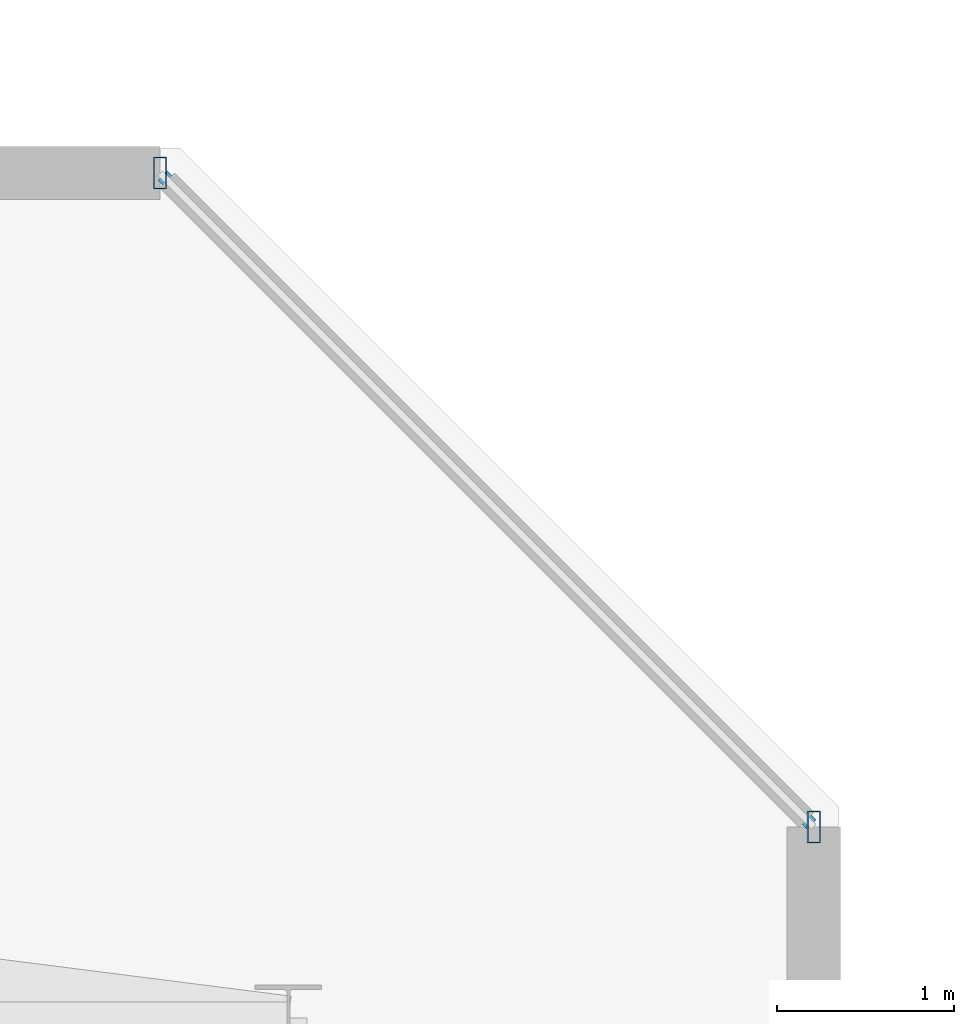
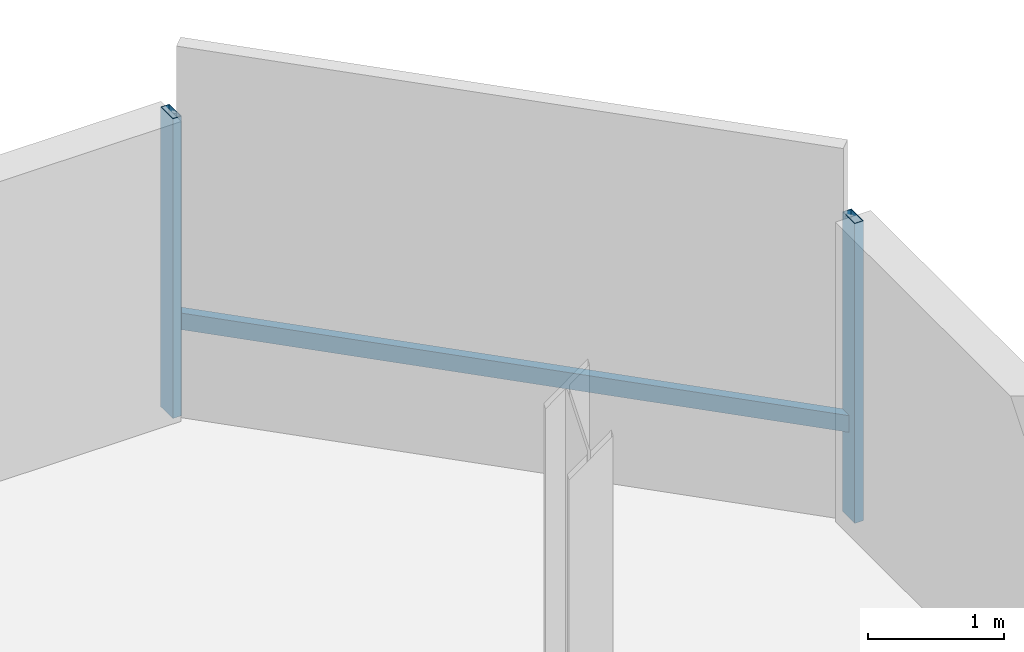
# One storey, part 12 of 34: 3 members, 1 element without a shape of its own.
"""IFC4 building model written with IfcOpenShell, lengths in metres."""

from ifc_helpers import new_model, si_unit, direction, frame, origin, origin_2d, place, context, subcontext, project, spatial, hollow_rectangle, extrude, material, material_profile, profile_set, type_object, element, aggregate, save


model = new_model("IFC4")

# Units and contexts
model_context = context("Model", 3, precision=1e-05, world=origin(), true_north=direction((0.0, 1.0)))
body_context = subcontext(model_context, "Body", "Model", "MODEL_VIEW")
ifc_project = project(units=[si_unit("LENGTHUNIT", "METRE"), si_unit("AREAUNIT", "SQUARE_METRE"), si_unit("VOLUMEUNIT", "CUBIC_METRE"), si_unit("PLANEANGLEUNIT", "RADIAN"), si_unit("MASSUNIT", "GRAM", prefix="KILO")], contexts=[model_context])

# Site, building, storey
site_placement = place(None, origin())
site = spatial("IfcSite", under=ifc_project, at=site_placement, CompositionType="ELEMENT")
building_placement = place(site_placement, origin())
building = spatial("IfcBuilding", under=site, at=building_placement, Name="Thornwick Lancets Civic Towers", CompositionType="ELEMENT")
storey_placement = place(building_placement, frame((0.0, 0.0, 261.89990234375)))
storey = spatial("IfcBuildingStorey", under=building, at=storey_placement, Name="L70", CompositionType="ELEMENT", Elevation=261.89990234375)

# Curtain wall, members
ifc_material_1 = material(Name="High-zone chamfered-corner unitised glass curtain wall", Category="glass")
curtain_wall_type = type_object("IfcCurtainWallType", Name="CW_SYS_05", PredefinedType="NOTDEFINED", material=ifc_material_1)
curtain_wall_placement = place(storey_placement, origin())
curtain_wall = element("IfcCurtainWall", 1, at=curtain_wall_placement, inside=storey, type_object=curtain_wall_type, Name="L70 Curtain Wall CW-L70-A-E3", PredefinedType="NOTDEFINED")
ifc_material_2 = material(Name="Thermally broken bronze aluminium S355", Category="steel")
ifc_material_profile_1 = material_profile(ifc_material_2, hollow_rectangle(XDim=0.074951171875, YDim=0.179931640625, WallThickness=0.006103515625, at=origin_2d()), Name="RHS 180x75x6")
ifc_profile_set_1 = profile_set([ifc_material_profile_1], Name="Thermally broken bronze aluminium S355")
member_type_1 = type_object("IfcMemberType", Name="CW_MUL_180", PredefinedType="MULLION", material=ifc_profile_set_1)
member_1_placement = place(storey_placement, frame((49.260986328125, 41.07763671875, 0.0), z_axis=(0.0, 0.0, 1.0), x_axis=(1.0, 0.0, 0.0)))
member_1 = element("IfcMember", 2, at=member_1_placement, type_object=member_type_1, Name="CW-L70-A-E3 Mullion 0", PredefinedType="MULLION", context=body_context, shape_type="SweptSolid", body=[
    extrude(hollow_rectangle(XDim=0.074951171875, YDim=0.179931640625, WallThickness=0.006103515625, at=origin_2d()), origin(), (0.0, 0.0, 1.0), 2.7001953125),
])
member_2_placement = place(storey_placement, frame((45.57763671875, 44.760986328125, 0.0), z_axis=(0.0, 0.0, 1.0), x_axis=(1.0, 0.0, 0.0)))
member_2 = element("IfcMember", 3, at=member_2_placement, type_object=member_type_1, Name="CW-L70-A-E3 Mullion 1", PredefinedType="MULLION", context=body_context, shape_type="SweptSolid", body=[
    extrude(hollow_rectangle(XDim=0.074951171875, YDim=0.179931640625, WallThickness=0.006103515625, at=origin_2d()), origin(), (0.0, 0.0, 1.0), 2.7001953125),
])
ifc_material_profile_2 = material_profile(ifc_material_2, hollow_rectangle(XDim=0.074951171875, YDim=0.14990234375, WallThickness=0.0048828125, at=origin_2d()), Name="RHS 150x75x5")
ifc_profile_set_2 = profile_set([ifc_material_profile_2], Name="Thermally broken bronze aluminium S355")
member_type_2 = type_object("IfcMemberType", Name="CW_TRN_150", PredefinedType="USERDEFINED", material=ifc_profile_set_2)
member_3_placement = place(storey_placement, frame((49.246826171875, 41.091796875, 0.85009765625), z_axis=(-0.707106781187, 0.707106781187, 0.0), x_axis=(-0.707106781187, -0.707106781187, 0.0)))
member_3 = element("IfcMember", 4, at=member_3_placement, type_object=member_type_2, Name="CW-L70-A-E3 Transom 0", ObjectType="TRANSOM", PredefinedType="USERDEFINED", context=body_context, shape_type="SweptSolid", body=[
    extrude(hollow_rectangle(XDim=0.074951171875, YDim=0.14990234375, WallThickness=0.0048828125, at=origin_2d()), origin(), (0.0, 0.0, 1.0), 5.1689453125),
])
aggregate(curtain_wall, [member_1, member_2, member_3])

save(model, "model.ifc")
